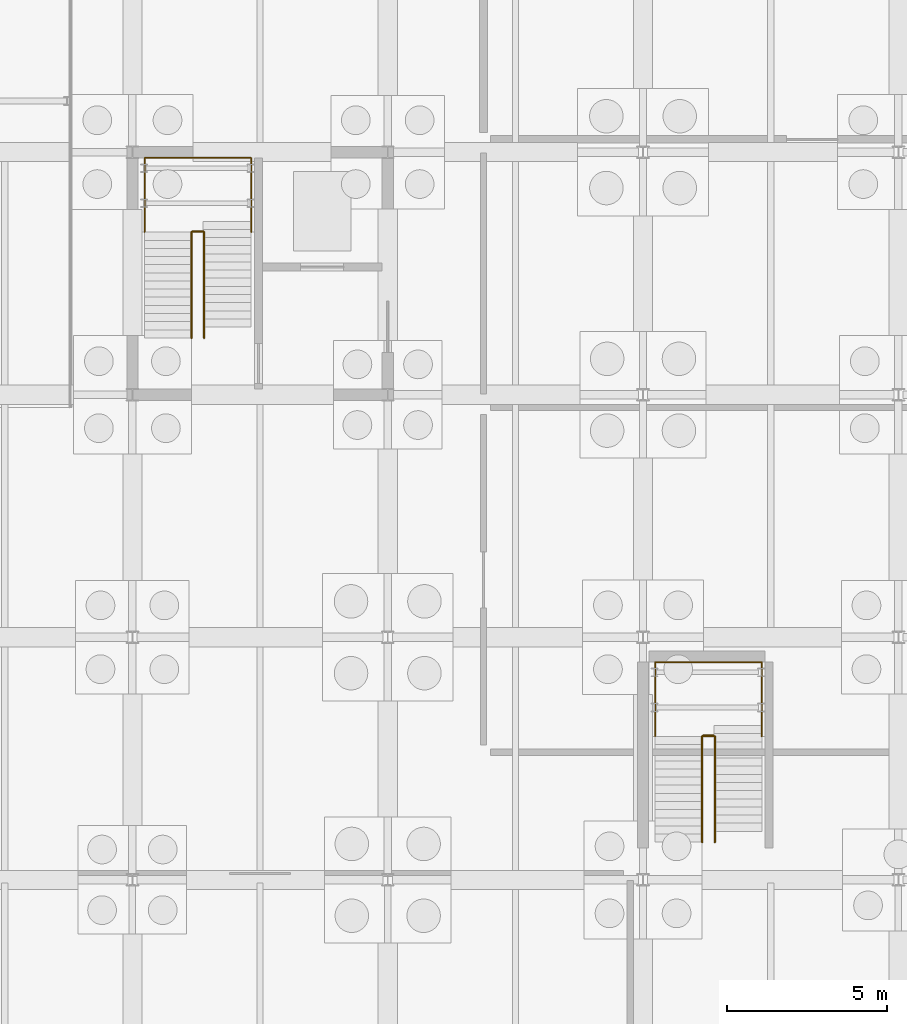
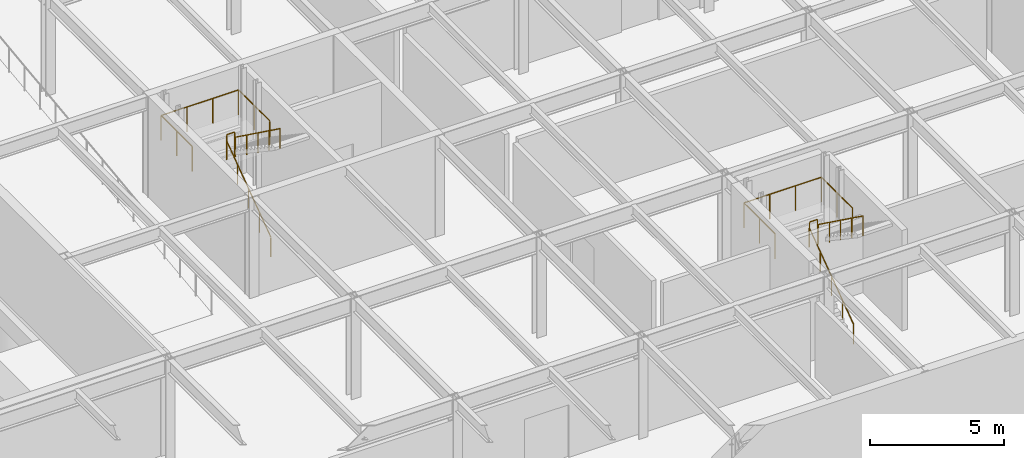
# One storey, part 19 of 21: 8 railings.
"""IFC4 building model written with IfcOpenShell, lengths in metres."""

from ifc_helpers import new_model, si_unit, direction, frame, origin, origin_2d, place, context, subcontext, project, spatial, circle, extrude, material, type_object, element, save


model = new_model("IFC4")

# Units and contexts
model_context = context("Model", 3, precision=1e-05, world=origin(), true_north=direction((0.0, 1.0)))
body_context = subcontext(model_context, "Body", "Model", "MODEL_VIEW")
ifc_project = project(units=[si_unit("LENGTHUNIT", "METRE"), si_unit("AREAUNIT", "SQUARE_METRE"), si_unit("VOLUMEUNIT", "CUBIC_METRE"), si_unit("PLANEANGLEUNIT", "RADIAN"), si_unit("MASSUNIT", "GRAM", prefix="KILO")], contexts=[model_context])

# Site, building, storey
site_placement = place(None, origin())
site = spatial("IfcSite", under=ifc_project, at=site_placement, CompositionType="ELEMENT")
building_placement = place(site_placement, origin())
building = spatial("IfcBuilding", under=site, at=building_placement, Name="Zulena Civic Courthouse", CompositionType="ELEMENT")
storey_placement = place(building_placement, frame((0.0, 0.0, -4.800048828125)))
storey = spatial("IfcBuildingStorey", under=building, at=storey_placement, Name="B01", CompositionType="ELEMENT", Elevation=-4.800048828125)

# Railings
ifc_material = material(Name="Brushed architectural steel ASTM A36", Category="steel")
railing_type_1 = type_object("IfcRailingType", Name="InteriorGuardrail_1150", PredefinedType="GUARDRAIL", material=ifc_material)
railing_1_placement = place(storey_placement, frame((76.3798828125, 73.49462890625, 2.400146484375)))
element("IfcRailing", 1, at=railing_1_placement, inside=storey, type_object=railing_type_1, Name="gr:lnd:K5B:B01", PredefinedType="GUARDRAIL", context=body_context, shape_type="SweptSolid", body=[
    extrude(circle(Radius=0.02392578125, at=origin_2d()), frame((0.0, 0.00390625, 1.1259765625), z_axis=(0.0, 1.0, 0.0), x_axis=(-1.0, 0.0, 0.0)), (0.0, 0.0, 1.0), 2.3173828125),
    extrude(circle(Radius=0.02392578125, at=origin_2d()), frame((0.00390625, 2.325439453125, 1.1259765625), z_axis=(1.0, 0.0, 0.0), x_axis=(0.0, 1.0, 0.0)), (0.0, 0.0, 1.0), 3.33203125),
    extrude(circle(Radius=0.02392578125, at=origin_2d()), frame((3.340087890625, 2.321533203125, 1.1259765625), z_axis=(0.0, -1.0, 0.0), x_axis=(1.0, 0.0, 0.0)), (0.0, 0.0, 1.0), 2.3173828125),
    extrude(circle(Radius=0.02099609375, at=origin_2d()), origin(), (0.0, 0.0, 1.0), 1.097900390625),
    extrude(circle(Radius=0.02099609375, at=origin_2d()), frame((0.0, 1.16259765625, 0.0)), (0.0, 0.0, 1.0), 1.097900390625),
    extrude(circle(Radius=0.02099609375, at=origin_2d()), frame((0.0, 2.325439453125, 0.0)), (0.0, 0.0, 1.0), 1.097900390625),
    extrude(circle(Radius=0.02099609375, at=origin_2d()), frame((1.11328125, 2.325439453125, 0.0)), (0.0, 0.0, 1.0), 1.097900390625),
    extrude(circle(Radius=0.02099609375, at=origin_2d()), frame((2.226806640625, 2.325439453125, 0.0)), (0.0, 0.0, 1.0), 1.097900390625),
    extrude(circle(Radius=0.02099609375, at=origin_2d()), frame((3.340087890625, 2.325439453125, 0.0)), (0.0, 0.0, 1.0), 1.097900390625),
    extrude(circle(Radius=0.02099609375, at=origin_2d()), frame((3.340087890625, 1.16259765625, 0.0)), (0.0, 0.0, 1.0), 1.097900390625),
    extrude(circle(Radius=0.02099609375, at=origin_2d()), frame((3.340087890625, 0.0, 0.0)), (0.0, 0.0, 1.0), 1.097900390625),
])
railing_2_placement = place(storey_placement, frame((77.8798828125, 73.514892578125, 2.400146484375)))
element("IfcRailing", 2, at=railing_2_placement, inside=storey, type_object=railing_type_1, Name="gr:lndslot:K5B:B01", PredefinedType="GUARDRAIL", context=body_context, shape_type="SweptSolid", body=[
    extrude(circle(Radius=0.02392578125, at=origin_2d()), frame((0.00390625, 0.0, 1.1259765625), z_axis=(1.0, 0.0, 0.0), x_axis=(0.0, 1.0, 0.0)), (0.0, 0.0, 1.0), 0.33203125),
    extrude(circle(Radius=0.02099609375, at=origin_2d()), origin(), (0.0, 0.0, 1.0), 1.097900390625),
    extrude(circle(Radius=0.02099609375, at=origin_2d()), frame((0.340087890625, 0.0, 0.0)), (0.0, 0.0, 1.0), 1.097900390625),
])
railing_3_placement = place(storey_placement, frame((92.3798828125, 57.694580078125, 2.400146484375)))
element("IfcRailing", 3, at=railing_3_placement, inside=storey, type_object=railing_type_1, Name="gr:lnd:STB2:B01", PredefinedType="GUARDRAIL", context=body_context, shape_type="SweptSolid", body=[
    extrude(circle(Radius=0.02392578125, at=origin_2d()), frame((0.0, 0.00390625, 1.1259765625), z_axis=(0.0, 1.0, 0.0), x_axis=(-1.0, 0.0, 0.0)), (0.0, 0.0, 1.0), 2.3173828125),
    extrude(circle(Radius=0.02392578125, at=origin_2d()), frame((0.00390625, 2.325439453125, 1.1259765625), z_axis=(1.0, 0.0, 0.0), x_axis=(0.0, 1.0, 0.0)), (0.0, 0.0, 1.0), 3.33203125),
    extrude(circle(Radius=0.02392578125, at=origin_2d()), frame((3.340087890625, 2.321533203125, 1.1259765625), z_axis=(0.0, -1.0, 0.0), x_axis=(1.0, 0.0, 0.0)), (0.0, 0.0, 1.0), 2.3173828125),
    extrude(circle(Radius=0.02099609375, at=origin_2d()), origin(), (0.0, 0.0, 1.0), 1.097900390625),
    extrude(circle(Radius=0.02099609375, at=origin_2d()), frame((0.0, 1.16259765625, 0.0)), (0.0, 0.0, 1.0), 1.097900390625),
    extrude(circle(Radius=0.02099609375, at=origin_2d()), frame((0.0, 2.325439453125, 0.0)), (0.0, 0.0, 1.0), 1.097900390625),
    extrude(circle(Radius=0.02099609375, at=origin_2d()), frame((1.11328125, 2.325439453125, 0.0)), (0.0, 0.0, 1.0), 1.097900390625),
    extrude(circle(Radius=0.02099609375, at=origin_2d()), frame((2.226806640625, 2.325439453125, 0.0)), (0.0, 0.0, 1.0), 1.097900390625),
    extrude(circle(Radius=0.02099609375, at=origin_2d()), frame((3.340087890625, 2.325439453125, 0.0)), (0.0, 0.0, 1.0), 1.097900390625),
    extrude(circle(Radius=0.02099609375, at=origin_2d()), frame((3.340087890625, 1.16259765625, 0.0)), (0.0, 0.0, 1.0), 1.097900390625),
    extrude(circle(Radius=0.02099609375, at=origin_2d()), frame((3.340087890625, 0.0, 0.0)), (0.0, 0.0, 1.0), 1.097900390625),
])
railing_4_placement = place(storey_placement, frame((93.8798828125, 57.715087890625, 2.400146484375)))
element("IfcRailing", 4, at=railing_4_placement, inside=storey, type_object=railing_type_1, Name="gr:lndslot:STB2:B01", PredefinedType="GUARDRAIL", context=body_context, shape_type="SweptSolid", body=[
    extrude(circle(Radius=0.02392578125, at=origin_2d()), frame((0.00390625, 0.0, 1.1259765625), z_axis=(1.0, 0.0, 0.0), x_axis=(0.0, 1.0, 0.0)), (0.0, 0.0, 1.0), 0.33203125),
    extrude(circle(Radius=0.02099609375, at=origin_2d()), origin(), (0.0, 0.0, 1.0), 1.097900390625),
    extrude(circle(Radius=0.02099609375, at=origin_2d()), frame((0.340087890625, 0.0, 0.0)), (0.0, 0.0, 1.0), 1.097900390625),
])
railing_type_2 = type_object("IfcRailingType", Name="StairHandrail_920", PredefinedType="HANDRAIL", material=ifc_material)
railing_5_placement = place(storey_placement, frame((77.85009765625, 70.179931640625, 0.0)))
element("IfcRailing", 5, at=railing_5_placement, inside=storey, type_object=railing_type_2, Name="hr:K5B:B01:1", PredefinedType="HANDRAIL", context=body_context, shape_type="SweptSolid", body=[
    extrude(circle(Radius=0.02392578125, at=origin_2d()), frame((0.0, 0.003173828125, 0.898193359375), z_axis=(0.0, 0.809959711079, 0.586485521074), x_axis=(-1.0, 0.0, 0.0)), (0.0, 0.0, 1.0), 4.08447265625),
    extrude(circle(Radius=0.02099609375, at=origin_2d()), origin(), (0.0, 0.0, 1.0), 0.867919921875),
    extrude(circle(Radius=0.02099609375, at=origin_2d()), frame((0.0, 0.82861328125, 0.60009765625)), (0.0, 0.0, 1.0), 0.867919921875),
    extrude(circle(Radius=0.02099609375, at=origin_2d()), frame((0.0, 1.6572265625, 1.2001953125)), (0.0, 0.0, 1.0), 0.867919921875),
    extrude(circle(Radius=0.02099609375, at=origin_2d()), frame((0.0, 2.486083984375, 1.800048828125)), (0.0, 0.0, 1.0), 0.867919921875),
    extrude(circle(Radius=0.02099609375, at=origin_2d()), frame((0.0, 3.314697265625, 2.400146484375)), (0.0, 0.0, 1.0), 0.867919921875),
])
railing_6_placement = place(storey_placement, frame((78.25, 73.49462890625, 2.400146484375)))
element("IfcRailing", 6, at=railing_6_placement, inside=storey, type_object=railing_type_2, Name="hr:K5B:B01:2", PredefinedType="HANDRAIL", context=body_context, shape_type="SweptSolid", body=[
    extrude(circle(Radius=0.02392578125, at=origin_2d()), frame((0.0, -0.003173828125, 0.898193359375), z_axis=(0.0, -0.80998804985, 0.586446382119), x_axis=(1.0, 0.0, 0.0)), (0.0, 0.0, 1.0), 4.084228515625),
    extrude(circle(Radius=0.02099609375, at=origin_2d()), origin(), (0.0, 0.0, 1.0), 0.867919921875),
    extrude(circle(Radius=0.02099609375, at=origin_2d()), frame((0.0, -0.82861328125, 0.60009765625)), (0.0, 0.0, 1.0), 0.867919921875),
    extrude(circle(Radius=0.02099609375, at=origin_2d()), frame((0.0, -1.6572265625, 1.199951171875)), (0.0, 0.0, 1.0), 0.867919921875),
    extrude(circle(Radius=0.02099609375, at=origin_2d()), frame((0.0, -2.486083984375, 1.7998046875)), (0.0, 0.0, 1.0), 0.867919921875),
    extrude(circle(Radius=0.02099609375, at=origin_2d()), frame((0.0, -3.314697265625, 2.39990234375)), (0.0, 0.0, 1.0), 0.867919921875),
])
railing_7_placement = place(storey_placement, frame((93.85009765625, 54.3798828125, 0.0)))
element("IfcRailing", 7, at=railing_7_placement, inside=storey, type_object=railing_type_2, Name="hr:STB2:B01:1", PredefinedType="HANDRAIL", context=body_context, shape_type="SweptSolid", body=[
    extrude(circle(Radius=0.02392578125, at=origin_2d()), frame((0.0, 0.003173828125, 0.898193359375), z_axis=(0.0, 0.809959711079, 0.586485521074), x_axis=(-1.0, 0.0, 0.0)), (0.0, 0.0, 1.0), 4.08447265625),
    extrude(circle(Radius=0.02099609375, at=origin_2d()), origin(), (0.0, 0.0, 1.0), 0.867919921875),
    extrude(circle(Radius=0.02099609375, at=origin_2d()), frame((0.0, 0.82861328125, 0.60009765625)), (0.0, 0.0, 1.0), 0.867919921875),
    extrude(circle(Radius=0.02099609375, at=origin_2d()), frame((0.0, 1.6572265625, 1.2001953125)), (0.0, 0.0, 1.0), 0.867919921875),
    extrude(circle(Radius=0.02099609375, at=origin_2d()), frame((0.0, 2.486083984375, 1.800048828125)), (0.0, 0.0, 1.0), 0.867919921875),
    extrude(circle(Radius=0.02099609375, at=origin_2d()), frame((0.0, 3.314697265625, 2.400146484375)), (0.0, 0.0, 1.0), 0.867919921875),
])
railing_8_placement = place(storey_placement, frame((94.25, 57.694580078125, 2.400146484375)))
element("IfcRailing", 8, at=railing_8_placement, inside=storey, type_object=railing_type_2, Name="hr:STB2:B01:2", PredefinedType="HANDRAIL", context=body_context, shape_type="SweptSolid", body=[
    extrude(circle(Radius=0.02392578125, at=origin_2d()), frame((0.0, -0.003173828125, 0.898193359375), z_axis=(0.0, -0.80998804985, 0.586446382119), x_axis=(1.0, 0.0, 0.0)), (0.0, 0.0, 1.0), 4.084228515625),
    extrude(circle(Radius=0.02099609375, at=origin_2d()), origin(), (0.0, 0.0, 1.0), 0.867919921875),
    extrude(circle(Radius=0.02099609375, at=origin_2d()), frame((0.0, -0.82861328125, 0.60009765625)), (0.0, 0.0, 1.0), 0.867919921875),
    extrude(circle(Radius=0.02099609375, at=origin_2d()), frame((0.0, -1.6572265625, 1.199951171875)), (0.0, 0.0, 1.0), 0.867919921875),
    extrude(circle(Radius=0.02099609375, at=origin_2d()), frame((0.0, -2.486083984375, 1.7998046875)), (0.0, 0.0, 1.0), 0.867919921875),
    extrude(circle(Radius=0.02099609375, at=origin_2d()), frame((0.0, -3.314697265625, 2.39990234375)), (0.0, 0.0, 1.0), 0.867919921875),
])

save(model, "model.ifc")
